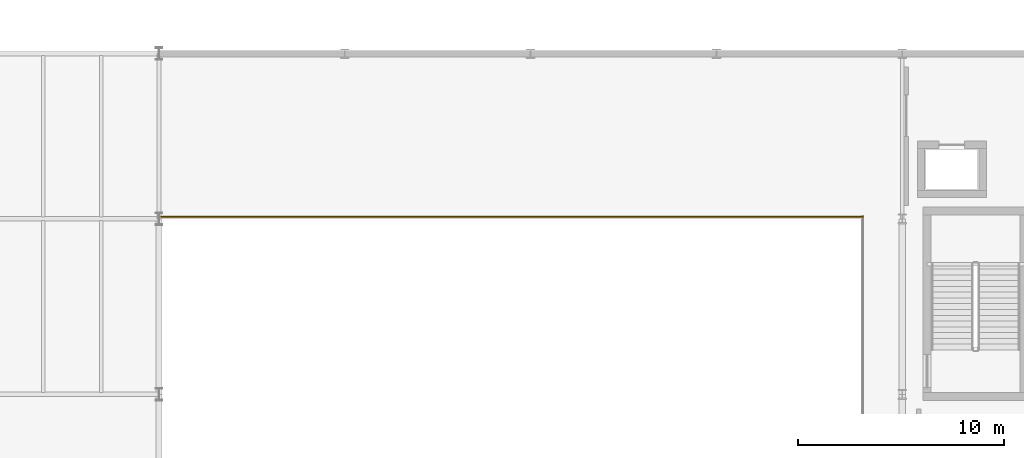
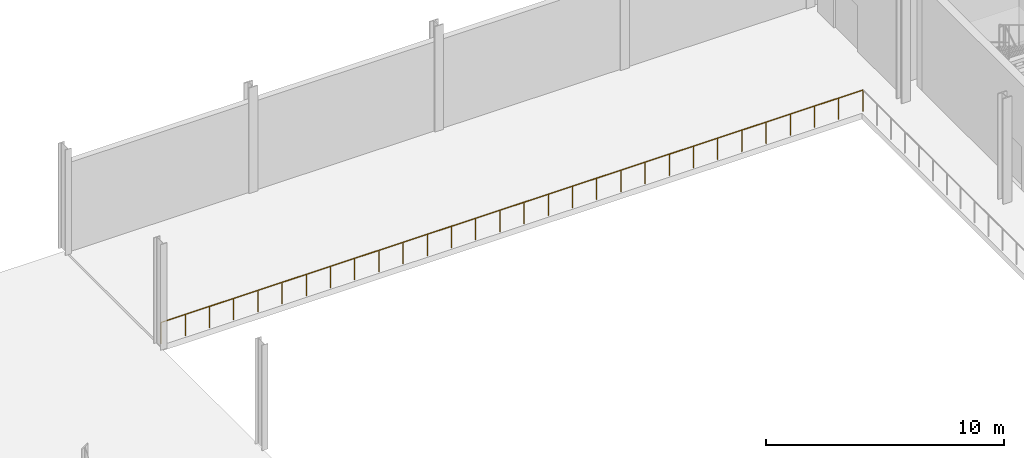
# One storey, part 77 of 78: 1 railing.
"""IFC4 building model written with IfcOpenShell, lengths in metres."""

from ifc_helpers import new_model, si_unit, direction, frame, origin, origin_2d, place, context, subcontext, project, spatial, circle, extrude, material, type_object, element, save


model = new_model("IFC4")

# Units and contexts
model_context = context("Model", 3, precision=1e-05, world=origin(), true_north=direction((0.0, 1.0)))
body_context = subcontext(model_context, "Body", "Model", "MODEL_VIEW")
ifc_project = project(units=[si_unit("LENGTHUNIT", "METRE"), si_unit("AREAUNIT", "SQUARE_METRE"), si_unit("VOLUMEUNIT", "CUBIC_METRE"), si_unit("PLANEANGLEUNIT", "RADIAN"), si_unit("MASSUNIT", "GRAM", prefix="KILO")], contexts=[model_context])

# Site, building, storey
site_placement = place(None, origin())
site = spatial("IfcSite", under=ifc_project, at=site_placement, CompositionType="ELEMENT")
building_placement = place(site_placement, origin())
building = spatial("IfcBuilding", under=site, at=building_placement, Name="Sefraquen Railside Congress Hotel", CompositionType="ELEMENT")
storey_placement = place(building_placement, frame((0.0, 0.0, 6.0)))
storey = spatial("IfcBuildingStorey", under=building, at=storey_placement, Name="L01", CompositionType="ELEMENT", Elevation=6.0)

# Railing
ifc_material = material(Name="Patinated wrought architectural bronze", Category="metal")
railing_type = type_object("IfcRailingType", Name="TRL-BAL-110", PredefinedType="BALUSTRADE", material=ifc_material)
railing_placement = place(storey_placement, frame((128.5, 88.10009765625, 0.0)))
element("IfcRailing", 1, at=railing_placement, inside=storey, type_object=railing_type, Name="Grand Ballroom L01 VIP mezzanine gallery balustrade", PredefinedType="BALUSTRADE", context=body_context, shape_type="SweptSolid", body=[
    extrude(circle(Radius=0.02392578125, at=origin_2d()), frame((0.0, 0.0, 1.09619140625), z_axis=(1.0, 0.0, 0.0), x_axis=(0.0, 1.0, 0.0)), (0.0, 0.0, 1.0), 34.0),
    extrude(circle(Radius=0.02099609375, at=origin_2d()), origin(), (0.0, 0.0, 1.0), 1.072021484375),
    extrude(circle(Radius=0.02099609375, at=origin_2d()), frame((1.17236328125, 0.0, 0.0)), (0.0, 0.0, 1.0), 1.072021484375),
    extrude(circle(Radius=0.02099609375, at=origin_2d()), frame((2.3447265625, 0.0, 0.0)), (0.0, 0.0, 1.0), 1.072021484375),
    extrude(circle(Radius=0.02099609375, at=origin_2d()), frame((3.517333984375, 0.0, 0.0)), (0.0, 0.0, 1.0), 1.072021484375),
    extrude(circle(Radius=0.02099609375, at=origin_2d()), frame((4.689697265625, 0.0, 0.0)), (0.0, 0.0, 1.0), 1.072021484375),
    extrude(circle(Radius=0.02099609375, at=origin_2d()), frame((5.862060546875, 0.0, 0.0)), (0.0, 0.0, 1.0), 1.072021484375),
    extrude(circle(Radius=0.02099609375, at=origin_2d()), frame((7.034423828125, 0.0, 0.0)), (0.0, 0.0, 1.0), 1.072021484375),
    extrude(circle(Radius=0.02099609375, at=origin_2d()), frame((8.206787109375, 0.0, 0.0)), (0.0, 0.0, 1.0), 1.072021484375),
    extrude(circle(Radius=0.02099609375, at=origin_2d()), frame((9.37939453125, 0.0, 0.0)), (0.0, 0.0, 1.0), 1.072021484375),
    extrude(circle(Radius=0.02099609375, at=origin_2d()), frame((10.5517578125, 0.0, 0.0)), (0.0, 0.0, 1.0), 1.072021484375),
    extrude(circle(Radius=0.02099609375, at=origin_2d()), frame((11.72412109375, 0.0, 0.0)), (0.0, 0.0, 1.0), 1.072021484375),
    extrude(circle(Radius=0.02099609375, at=origin_2d()), frame((12.896484375, 0.0, 0.0)), (0.0, 0.0, 1.0), 1.072021484375),
    extrude(circle(Radius=0.02099609375, at=origin_2d()), frame((14.06884765625, 0.0, 0.0)), (0.0, 0.0, 1.0), 1.072021484375),
    extrude(circle(Radius=0.02099609375, at=origin_2d()), frame((15.241455078125, 0.0, 0.0)), (0.0, 0.0, 1.0), 1.072021484375),
    extrude(circle(Radius=0.02099609375, at=origin_2d()), frame((16.413818359375, 0.0, 0.0)), (0.0, 0.0, 1.0), 1.072021484375),
    extrude(circle(Radius=0.02099609375, at=origin_2d()), frame((17.586181640625, 0.0, 0.0)), (0.0, 0.0, 1.0), 1.072021484375),
    extrude(circle(Radius=0.02099609375, at=origin_2d()), frame((18.758544921875, 0.0, 0.0)), (0.0, 0.0, 1.0), 1.072021484375),
    extrude(circle(Radius=0.02099609375, at=origin_2d()), frame((19.93115234375, 0.0, 0.0)), (0.0, 0.0, 1.0), 1.072021484375),
    extrude(circle(Radius=0.02099609375, at=origin_2d()), frame((21.103515625, 0.0, 0.0)), (0.0, 0.0, 1.0), 1.072021484375),
    extrude(circle(Radius=0.02099609375, at=origin_2d()), frame((22.27587890625, 0.0, 0.0)), (0.0, 0.0, 1.0), 1.072021484375),
    extrude(circle(Radius=0.02099609375, at=origin_2d()), frame((23.4482421875, 0.0, 0.0)), (0.0, 0.0, 1.0), 1.072021484375),
    extrude(circle(Radius=0.02099609375, at=origin_2d()), frame((24.62060546875, 0.0, 0.0)), (0.0, 0.0, 1.0), 1.072021484375),
    extrude(circle(Radius=0.02099609375, at=origin_2d()), frame((25.793212890625, 0.0, 0.0)), (0.0, 0.0, 1.0), 1.072021484375),
    extrude(circle(Radius=0.02099609375, at=origin_2d()), frame((26.965576171875, 0.0, 0.0)), (0.0, 0.0, 1.0), 1.072021484375),
    extrude(circle(Radius=0.02099609375, at=origin_2d()), frame((28.137939453125, 0.0, 0.0)), (0.0, 0.0, 1.0), 1.072021484375),
    extrude(circle(Radius=0.02099609375, at=origin_2d()), frame((29.310302734375, 0.0, 0.0)), (0.0, 0.0, 1.0), 1.072021484375),
    extrude(circle(Radius=0.02099609375, at=origin_2d()), frame((30.482666015625, 0.0, 0.0)), (0.0, 0.0, 1.0), 1.072021484375),
    extrude(circle(Radius=0.02099609375, at=origin_2d()), frame((31.6552734375, 0.0, 0.0)), (0.0, 0.0, 1.0), 1.072021484375),
    extrude(circle(Radius=0.02099609375, at=origin_2d()), frame((32.82763671875, 0.0, 0.0)), (0.0, 0.0, 1.0), 1.072021484375),
    extrude(circle(Radius=0.02099609375, at=origin_2d()), frame((34.0, 0.0, 0.0)), (0.0, 0.0, 1.0), 1.072021484375),
])

save(model, "model.ifc")
